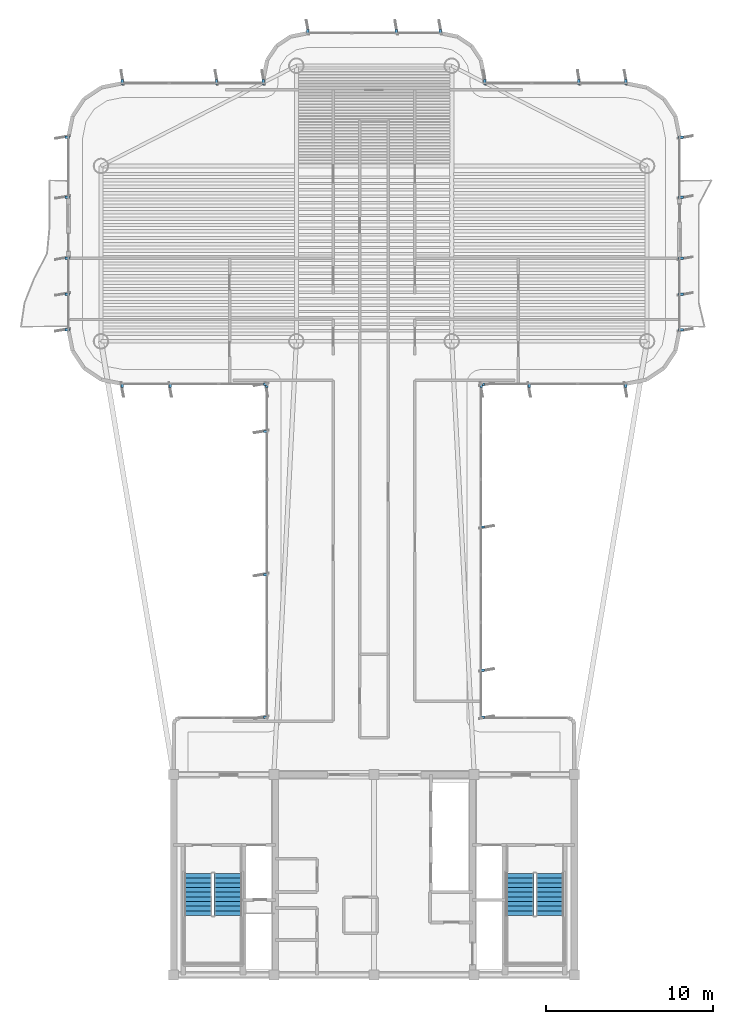
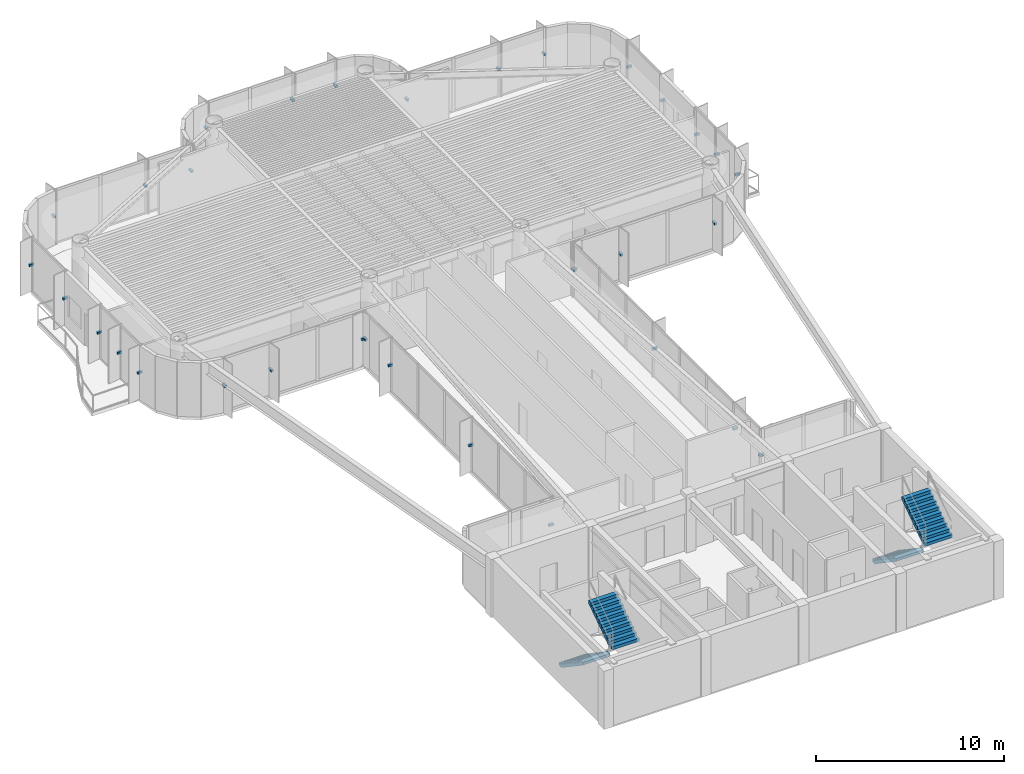
# One storey, part 13 of 15: 33 discrete accessories, 4 stair flights, 2 elements without a shape of their own.
"""IFC4 building model written with IfcOpenShell, lengths in metres."""

import ifcopenshell
import ifcopenshell.guid

model = None  # the IFC model being written
_history = None  # IfcOwnerHistory: only IFC2X3 demands one
_inside = {}  # id of a spatial element -> (the spatial element, [elements in it])
_under = {}  # id of a project, library or spatial element -> (it, [spatial elements below it])
_declared = {}  # id of a project -> (the project, [libraries it declares])
_typed = {}  # id of a type object -> (the type object, [elements of that type])
_made_of = {}  # id of a material, layer set ... -> (it, [elements and type objects made of it])


def new_model(schema):
    """Start an empty IFC model of exactly this schema.

    Asked for "IFC4X3", IfcOpenShell would pick the latest addendum, in which some entities
    have other attributes; the version numbers below select the first issue.
    IFC2X3 requires an IfcOwnerHistory on every rooted entity: one is made here for all.
    """
    global model, _history
    if schema == "IFC4X3":
        model = ifcopenshell.file(schema_version=(4, 3, 0, 0))
    else:
        model = ifcopenshell.file(schema=schema)
    _inside.clear()
    _under.clear()
    _declared.clear()
    _typed.clear()
    _made_of.clear()
    _history = None
    if model.schema == "IFC2X3":
        org = make("IfcOrganization", Name="unknown")
        user = make(
            "IfcPersonAndOrganization",
            ThePerson=make("IfcPerson", FamilyName="unknown"),
            TheOrganization=org,
        )
        app = make(
            "IfcApplication",
            ApplicationDeveloper=org,
            Version="unknown",
            ApplicationFullName="unknown",
            ApplicationIdentifier="unknown",
        )
        _history = make(
            "IfcOwnerHistory",
            OwningUser=user,
            OwningApplication=app,
            ChangeAction="ADDED",
            CreationDate=0,
        )
    return model


def make(cls, **values):
    """One entity of the class cls with the attributes given. An attribute that is None is left unset."""
    return model.create_entity(
        cls, **{name: value for name, value in values.items() if value is not None}
    )


def rooted(cls, **values):
    """An entity with a GlobalId (a new one), such as an element, a storey or a relation."""
    return make(cls, GlobalId=ifcopenshell.guid.new(), OwnerHistory=_history, **values)


def si_unit(unit_type, name, prefix=None):
    """IfcSIUnit, for example si_unit("LENGTHUNIT", "METRE", prefix="MILLI")."""
    return make("IfcSIUnit", UnitType=unit_type, Prefix=prefix, Name=name)


def assignment(units):
    """IfcUnitAssignment: the units of a project."""
    return None if units is None else make("IfcUnitAssignment", Units=units)


def point(xyz):
    """IfcCartesianPoint."""
    return None if xyz is None else make("IfcCartesianPoint", Coordinates=xyz)


def direction(xyz):
    """IfcDirection."""
    return None if xyz is None else make("IfcDirection", DirectionRatios=xyz)


def frame(location, z_axis=None, x_axis=None):
    """IfcAxis2Placement3D, a coordinate frame: its origin and axes. An axis left out is left unset."""
    return make(
        "IfcAxis2Placement3D",
        Location=point(location),
        Axis=direction(z_axis),
        RefDirection=direction(x_axis),
    )


def frame_2d(location, x_axis=None):
    """IfcAxis2Placement2D, a coordinate frame in the plane: its origin and x axis."""
    return make(
        "IfcAxis2Placement2D", Location=point(location), RefDirection=direction(x_axis)
    )


def origin():
    """The frame at (0, 0, 0) with its axes left unset."""
    return frame((0.0, 0.0, 0.0))


def origin_2d():
    """The frame at (0, 0) in the plane with its x axis left unset."""
    return frame_2d((0.0, 0.0))


def place(relative_to, where):
    """IfcLocalPlacement: puts the frame where relative to a parent placement (None: the world)."""
    return make(
        "IfcLocalPlacement", PlacementRelTo=relative_to, RelativePlacement=where
    )


def context(
    kind, dimensions, precision=None, world=None, true_north=None, identifier=None
):
    """IfcGeometricRepresentationContext, for example the 3D "Model" context."""
    return make(
        "IfcGeometricRepresentationContext",
        ContextIdentifier=identifier,
        ContextType=kind,
        CoordinateSpaceDimension=dimensions,
        Precision=precision,
        WorldCoordinateSystem=world,
        TrueNorth=true_north,
    )


def subcontext(parent, identifier, kind, view, scale=None):
    """IfcGeometricRepresentationSubContext, for example "Body" below "Model"."""
    return make(
        "IfcGeometricRepresentationSubContext",
        ContextIdentifier=identifier,
        ContextType=kind,
        ParentContext=parent,
        TargetScale=scale,
        TargetView=view,
    )


def project(units=None, contexts=None):
    """IfcProject with its units and contexts."""
    return rooted(
        "IfcProject",
        Name="project",
        RepresentationContexts=contexts,
        UnitsInContext=assignment(units),
    )


def spatial(cls, under=None, at=None, **own):
    """A site, building, storey or space (cls), placed at a placement, below another one or the project."""
    s = rooted(cls, ObjectPlacement=at, **own)
    if under is not None:
        _under.setdefault(under.id(), (under, []))[1].append(s)
    return s


def polyline(points):
    """IfcPolyline through the points."""
    return make("IfcPolyline", Points=[point(p) for p in points])


def profile(cls, at=None, kind="AREA", **sizes):
    """A parametric profile (cls). Its sizes go by their IFC names, for example OverallWidth=200.0."""
    return make(cls, ProfileType=kind, Position=at, **sizes)


def rectangle(**sizes):
    """IfcRectangleProfileDef."""
    return profile("IfcRectangleProfileDef", **sizes)


def outline(outer, holes=None, kind="AREA"):
    """IfcArbitraryClosedProfileDef: a profile drawn as a closed curve; with holes, ...WithVoids."""
    if holes is None:
        return make("IfcArbitraryClosedProfileDef", ProfileType=kind, OuterCurve=outer)
    return make(
        "IfcArbitraryProfileDefWithVoids",
        ProfileType=kind,
        OuterCurve=outer,
        InnerCurves=holes,
    )


def extrude(swept, where, along, depth):
    """IfcExtrudedAreaSolid: the profile swept, set in the frame where, extruded along a direction by depth."""
    return make(
        "IfcExtrudedAreaSolid",
        SweptArea=swept,
        Position=where,
        ExtrudedDirection=direction(along),
        Depth=depth,
    )


def shape(context_of_items, identifier, shape_type, items):
    """IfcShapeRepresentation: the items that make up one representation, for example the "Body"."""
    return make(
        "IfcShapeRepresentation",
        ContextOfItems=context_of_items,
        RepresentationIdentifier=identifier,
        RepresentationType=shape_type,
        Items=items,
    )


def source(mapping_origin, context_of_items, identifier, shape_type, items):
    """IfcRepresentationMap: a shape defined once, which mapped items show again and again."""
    return make(
        "IfcRepresentationMap",
        MappingOrigin=mapping_origin,
        MappedRepresentation=shape(context_of_items, identifier, shape_type, items),
    )


def transform(
    local_origin,
    x_axis=None,
    y_axis=None,
    z_axis=None,
    scale=None,
    scale2=None,
    scale3=None,
    uniform=True,
):
    """IfcCartesianTransformationOperator3D, or its non-uniform kind. x_axis, y_axis, z_axis: its Axis1, 2, 3."""
    if uniform:
        return make(
            "IfcCartesianTransformationOperator3D",
            Axis1=direction(x_axis),
            Axis2=direction(y_axis),
            LocalOrigin=point(local_origin),
            Scale=scale,
            Axis3=direction(z_axis),
        )
    return make(
        "IfcCartesianTransformationOperator3DnonUniform",
        Axis1=direction(x_axis),
        Axis2=direction(y_axis),
        LocalOrigin=point(local_origin),
        Scale=scale,
        Axis3=direction(z_axis),
        Scale2=scale2,
        Scale3=scale3,
    )


def mapped(mapping_source, mapping_target):
    """IfcMappedItem: shows the shape of a source again, moved by a transform."""
    return make(
        "IfcMappedItem", MappingSource=mapping_source, MappingTarget=mapping_target
    )


def material(Name=None, Category=None):
    """IfcMaterial."""
    return make("IfcMaterial", Name=Name, Category=Category)


def made_of(thing, what):
    """Note that an element or type object is made of a material, layer set ...; save() writes the relation."""
    if what is not None:
        _made_of.setdefault(what.id(), (what, []))[1].append(thing)
    return thing


def type_object(cls, material=None, **own):
    """A type object (cls), such as IfcWallType, which elements share."""
    return made_of(rooted(cls, **own), material)


def element(
    cls,
    number,
    at=None,
    inside=None,
    cuts=None,
    type_object=None,
    material=None,
    context=None,
    identifier="Body",
    shape_type=None,
    held_by="IfcProductDefinitionShape",
    body=None,
    shapes=None,
    **own,
):
    """One element of the class cls, such as IfcWall. Its Tag is "e" and its number.

    at: its placement. inside: the storey or other place that contains it. cuts: it is an
    opening in that element (IfcRelVoidsElement). A single representation is given by context,
    identifier, shape_type and body (its items); several are given by shapes. held_by: the class
    of the entity that holds the representations. save() writes the other relations.
    """
    e = rooted(cls, Tag="e%d" % number, ObjectPlacement=at, **own)
    if body is not None:
        shapes = [shape(context, identifier, shape_type, body)]
    if shapes is not None:
        e.Representation = make(held_by, Representations=shapes)
    if inside is not None:
        _inside.setdefault(inside.id(), (inside, []))[1].append(e)
    if cuts is not None:
        rooted(
            "IfcRelVoidsElement", RelatingBuildingElement=cuts, RelatedOpeningElement=e
        )
    if type_object is not None:
        _typed.setdefault(type_object.id(), (type_object, []))[1].append(e)
    return made_of(e, material)


def aggregate(whole, parts):
    """IfcRelAggregates: a whole, such as a stair, and the parts it consists of."""
    return rooted("IfcRelAggregates", RelatingObject=whole, RelatedObjects=parts)


def save(model, path):
    """Write the relations noted so far, then the file.

    IfcRelAggregates (storeys below a building ...), IfcRelContainedInSpatialStructure (elements
    in a storey), IfcRelDefinesByType, IfcRelAssociatesMaterial and IfcRelDeclares: one each for
    every whole, place, type object, material and project.
    """
    for whole, parts in _under.values():
        aggregate(whole, parts)
    for where, things in _inside.values():
        rooted(
            "IfcRelContainedInSpatialStructure",
            RelatedElements=things,
            RelatingStructure=where,
        )
    for kind, things in _typed.values():
        rooted("IfcRelDefinesByType", RelatedObjects=things, RelatingType=kind)
    for what, things in _made_of.values():
        rooted("IfcRelAssociatesMaterial", RelatedObjects=things, RelatingMaterial=what)
    for by, libraries in _declared.values():
        rooted("IfcRelDeclares", RelatingContext=by, RelatedDefinitions=libraries)
    model.write(path)


model = new_model("IFC4")

# Units and contexts
model_context = context("Model", 3, precision=1e-05, world=origin(), true_north=direction((0.0, 1.0)))
body_context = subcontext(model_context, "Body", "Model", "MODEL_VIEW")
ifc_project = project(units=[si_unit("LENGTHUNIT", "METRE"), si_unit("AREAUNIT", "SQUARE_METRE"), si_unit("VOLUMEUNIT", "CUBIC_METRE"), si_unit("PLANEANGLEUNIT", "RADIAN"), si_unit("MASSUNIT", "GRAM", prefix="KILO")], contexts=[model_context])

# Site, building, storey
site_placement = place(None, origin())
site = spatial("IfcSite", under=ifc_project, at=site_placement, CompositionType="ELEMENT")
building_placement = place(site_placement, origin())
building = spatial("IfcBuilding", under=site, at=building_placement, Name="Brelvock Crest Care Tower", CompositionType="ELEMENT")
storey_placement = place(building_placement, frame((0.0, 0.0, 245.699951171875)))
storey = spatial("IfcBuildingStorey", under=building, at=storey_placement, Name="L62", CompositionType="ELEMENT", Elevation=245.699951171875)

# Stair, stair flights
ifc_material_1 = material(Name="Concrete N40 (40 MPa)", Category="concrete")
stair_type = type_object("IfcStairType", Name="ST-CORE1", PredefinedType="HALF_TURN_STAIR", material=ifc_material_1)
stair_1_placement = place(storey_placement, origin())
stair_1 = element("IfcStair", 1, at=stair_1_placement, inside=storey, type_object=stair_type, Name="L62 Fire-Isolated Core Stair ST-1", PredefinedType="HALF_TURN_STAIR")
stair_flight_type = type_object("IfcStairFlightType", Name="STF-1", PredefinedType="STRAIGHT", material=ifc_material_1)
stair_flight_1_placement = place(storey_placement, frame((25.469970703125, 12.080078125, 0.0), z_axis=(0.0, 0.0, 1.0), x_axis=(0.0, -1.0, 0.0)))
stair_flight_1 = element("IfcStairFlight", 2, at=stair_flight_1_placement, type_object=stair_flight_type, Name="ST-1 flight 1", NumberOfRisers=10, NumberOfTreads=9, PredefinedType="STRAIGHT", RiserHeight=0.189, TreadLength=0.28, context=body_context, shape_type="SweptSolid", body=[
    extrude(outline(polyline([(-0.00390625, -0.014892578125), (-0.00390625, -0.0078125), (-0.00390625, -0.00048828125), (-0.00390625, 0.0068359375), (-0.00390625, 0.01416015625), (-0.00390625, 0.021484375), (-0.00390625, 0.02880859375), (-0.00390625, 0.035888671875), (-0.00390625, 0.043212890625), (-0.00390625, 0.050537109375), (-0.00390625, 0.057861328125), (-0.00390625, 0.065185546875), (-0.00390625, 0.072509765625), (-0.00390625, 0.07958984375), (-0.00390625, 0.0869140625), (-0.00390625, 0.09423828125), (-0.00390625, 0.1015625), (-0.00390625, 0.10888671875), (-0.00390625, 0.1162109375), (-0.00390625, 0.12353515625), (-0.00390625, 0.130615234375), (-0.00390625, 0.137939453125), (-0.00390625, 0.145263671875), (-0.00390625, 0.152587890625), (-0.00390625, 0.159912109375), (-0.00390625, 0.167236328125), (-0.00390625, 0.17431640625), (-0.00390625, 0.181640625), (-0.00390625, 0.18896484375), (0.0, 0.18896484375), (0.280029296875, 0.18896484375), (0.280029296875, 0.3779296875), (0.56005859375, 0.3779296875), (0.56005859375, 0.56689453125), (0.840087890625, 0.56689453125), (0.840087890625, 0.756103515625), (1.1201171875, 0.756103515625), (1.1201171875, 0.945068359375), (1.39990234375, 0.945068359375), (1.39990234375, 1.134033203125), (1.679931640625, 1.134033203125), (1.679931640625, 1.322998046875), (1.9599609375, 1.322998046875), (1.9599609375, 1.511962890625), (2.239990234375, 1.511962890625), (2.239990234375, 1.700927734375), (2.52001953125, 1.700927734375), (2.52392578125, 1.700927734375), (2.523681640625, 1.70068359375), (2.52392578125, 1.700439453125), (2.523681640625, 1.699951171875), (2.52392578125, 1.69970703125), (2.523681640625, 1.699462890625), (2.52392578125, 1.698974609375), (2.523681640625, 1.69873046875), (2.52392578125, 1.698486328125), (2.523681640625, 1.697998046875), (2.52392578125, 1.69775390625), (2.523681640625, 1.697509765625), (2.52392578125, 1.697021484375), (2.523681640625, 1.69677734375), (2.52392578125, 1.696533203125), (2.523681640625, 1.6962890625), (2.52392578125, 1.69580078125), (2.523681640625, 1.695556640625), (2.52392578125, 1.6953125), (2.523681640625, 1.69482421875), (2.52392578125, 1.694580078125), (2.523681640625, 1.6943359375), (2.52392578125, 1.69384765625), (2.523681640625, 1.693603515625), (2.52392578125, 1.693359375), (2.523681640625, 1.69287109375), (2.52392578125, 1.692626953125), (2.523681640625, 1.6923828125), (2.52392578125, 1.69189453125), (2.52001953125, 1.520263671875), (0.267822265625, 0.0), (0.0, 0.0), (0.0, -0.014892578125), (-0.00390625, -0.014892578125)])), frame((0.0, 0.83984375, 0.0), z_axis=(0.0, -1.0, 0.0), x_axis=(1.0, 0.0, 0.0)), (0.0, 0.0, 1.0), 1.679931640625),
])
stair_flight_2_placement = place(storey_placement, frame((27.27001953125, 9.56005859375, 1.89013671875), z_axis=(0.0, 0.0, 1.0), x_axis=(0.0, 1.0, 0.0)))
stair_flight_2 = element("IfcStairFlight", 3, at=stair_flight_2_placement, type_object=stair_flight_type, Name="ST-1 flight 2", NumberOfRisers=10, NumberOfTreads=9, PredefinedType="STRAIGHT", RiserHeight=0.189, TreadLength=0.28, context=body_context, shape_type="SweptSolid", body=[
    extrude(outline(polyline([(-0.00390625, -0.014892578125), (-0.00390625, -0.0078125), (-0.00390625, -0.00048828125), (-0.00390625, 0.0068359375), (-0.00390625, 0.01416015625), (-0.00390625, 0.021484375), (-0.00390625, 0.02880859375), (-0.00390625, 0.035888671875), (-0.00390625, 0.043212890625), (-0.00390625, 0.050537109375), (-0.00390625, 0.057861328125), (-0.00390625, 0.065185546875), (-0.00390625, 0.072509765625), (-0.00390625, 0.07958984375), (-0.00390625, 0.0869140625), (-0.00390625, 0.09423828125), (-0.00390625, 0.1015625), (-0.00390625, 0.10888671875), (-0.00390625, 0.1162109375), (-0.00390625, 0.12353515625), (-0.00390625, 0.130615234375), (-0.00390625, 0.137939453125), (-0.00390625, 0.145263671875), (-0.00390625, 0.152587890625), (-0.00390625, 0.159912109375), (-0.00390625, 0.167236328125), (-0.00390625, 0.17431640625), (-0.00390625, 0.181640625), (-0.00390625, 0.18896484375), (0.0, 0.18896484375), (0.280029296875, 0.18896484375), (0.280029296875, 0.3779296875), (0.56005859375, 0.3779296875), (0.56005859375, 0.56689453125), (0.840087890625, 0.56689453125), (0.840087890625, 0.756103515625), (1.1201171875, 0.756103515625), (1.1201171875, 0.945068359375), (1.39990234375, 0.945068359375), (1.39990234375, 1.134033203125), (1.679931640625, 1.134033203125), (1.679931640625, 1.322998046875), (1.9599609375, 1.322998046875), (1.9599609375, 1.511962890625), (2.239990234375, 1.511962890625), (2.239990234375, 1.700927734375), (2.52001953125, 1.700927734375), (2.52392578125, 1.700927734375), (2.523681640625, 1.70068359375), (2.52392578125, 1.700439453125), (2.523681640625, 1.699951171875), (2.52392578125, 1.69970703125), (2.523681640625, 1.699462890625), (2.52392578125, 1.698974609375), (2.523681640625, 1.69873046875), (2.52392578125, 1.698486328125), (2.523681640625, 1.697998046875), (2.52392578125, 1.69775390625), (2.523681640625, 1.697509765625), (2.52392578125, 1.697021484375), (2.523681640625, 1.69677734375), (2.52392578125, 1.696533203125), (2.523681640625, 1.6962890625), (2.52392578125, 1.69580078125), (2.523681640625, 1.695556640625), (2.52392578125, 1.6953125), (2.523681640625, 1.69482421875), (2.52392578125, 1.694580078125), (2.523681640625, 1.6943359375), (2.52392578125, 1.69384765625), (2.523681640625, 1.693603515625), (2.52392578125, 1.693359375), (2.523681640625, 1.69287109375), (2.52392578125, 1.692626953125), (2.523681640625, 1.6923828125), (2.52392578125, 1.69189453125), (2.52001953125, 1.520263671875), (0.267822265625, 0.0), (0.0, 0.0), (0.0, -0.014892578125), (-0.00390625, -0.014892578125)])), frame((0.0, 0.83984375, 0.0), z_axis=(0.0, -1.0, 0.0), x_axis=(1.0, 0.0, 0.0)), (0.0, 0.0, 1.0), 1.679931640625),
])
aggregate(stair_1, [stair_flight_1, stair_flight_2])

stair_2_placement = place(storey_placement, origin())
stair_2 = element("IfcStair", 4, at=stair_2_placement, inside=storey, type_object=stair_type, Name="L62 Fire-Isolated Core Stair ST-2", PredefinedType="HALF_TURN_STAIR")
stair_flight_3_placement = place(storey_placement, frame((44.72998046875, 12.080078125, 0.0), z_axis=(0.0, 0.0, 1.0), x_axis=(0.0, -1.0, 0.0)))
stair_flight_3 = element("IfcStairFlight", 5, at=stair_flight_3_placement, type_object=stair_flight_type, Name="ST-2 flight 1", NumberOfRisers=10, NumberOfTreads=9, PredefinedType="STRAIGHT", RiserHeight=0.189, TreadLength=0.28, context=body_context, shape_type="SweptSolid", body=[
    extrude(outline(polyline([(-0.00390625, -0.014892578125), (-0.00390625, -0.0078125), (-0.00390625, -0.00048828125), (-0.00390625, 0.0068359375), (-0.00390625, 0.01416015625), (-0.00390625, 0.021484375), (-0.00390625, 0.02880859375), (-0.00390625, 0.035888671875), (-0.00390625, 0.043212890625), (-0.00390625, 0.050537109375), (-0.00390625, 0.057861328125), (-0.00390625, 0.065185546875), (-0.00390625, 0.072509765625), (-0.00390625, 0.07958984375), (-0.00390625, 0.0869140625), (-0.00390625, 0.09423828125), (-0.00390625, 0.1015625), (-0.00390625, 0.10888671875), (-0.00390625, 0.1162109375), (-0.00390625, 0.12353515625), (-0.00390625, 0.130615234375), (-0.00390625, 0.137939453125), (-0.00390625, 0.145263671875), (-0.00390625, 0.152587890625), (-0.00390625, 0.159912109375), (-0.00390625, 0.167236328125), (-0.00390625, 0.17431640625), (-0.00390625, 0.181640625), (-0.00390625, 0.18896484375), (0.0, 0.18896484375), (0.280029296875, 0.18896484375), (0.280029296875, 0.3779296875), (0.56005859375, 0.3779296875), (0.56005859375, 0.56689453125), (0.840087890625, 0.56689453125), (0.840087890625, 0.756103515625), (1.1201171875, 0.756103515625), (1.1201171875, 0.945068359375), (1.39990234375, 0.945068359375), (1.39990234375, 1.134033203125), (1.679931640625, 1.134033203125), (1.679931640625, 1.322998046875), (1.9599609375, 1.322998046875), (1.9599609375, 1.511962890625), (2.239990234375, 1.511962890625), (2.239990234375, 1.700927734375), (2.52001953125, 1.700927734375), (2.52392578125, 1.700927734375), (2.523681640625, 1.70068359375), (2.52392578125, 1.700439453125), (2.523681640625, 1.699951171875), (2.52392578125, 1.69970703125), (2.523681640625, 1.699462890625), (2.52392578125, 1.698974609375), (2.523681640625, 1.69873046875), (2.52392578125, 1.698486328125), (2.523681640625, 1.697998046875), (2.52392578125, 1.69775390625), (2.523681640625, 1.697509765625), (2.52392578125, 1.697021484375), (2.523681640625, 1.69677734375), (2.52392578125, 1.696533203125), (2.523681640625, 1.6962890625), (2.52392578125, 1.69580078125), (2.523681640625, 1.695556640625), (2.52392578125, 1.6953125), (2.523681640625, 1.69482421875), (2.52392578125, 1.694580078125), (2.523681640625, 1.6943359375), (2.52392578125, 1.69384765625), (2.523681640625, 1.693603515625), (2.52392578125, 1.693359375), (2.523681640625, 1.69287109375), (2.52392578125, 1.692626953125), (2.523681640625, 1.6923828125), (2.52392578125, 1.69189453125), (2.52001953125, 1.520263671875), (0.267822265625, 0.0), (0.0, 0.0), (0.0, -0.014892578125), (-0.00390625, -0.014892578125)])), frame((0.0, 0.83984375, 0.0), z_axis=(0.0, -1.0, 0.0), x_axis=(1.0, 0.0, 0.0)), (0.0, 0.0, 1.0), 1.679931640625),
])
stair_flight_4_placement = place(storey_placement, frame((46.530029296875, 9.56005859375, 1.89013671875), z_axis=(0.0, 0.0, 1.0), x_axis=(0.0, 1.0, 0.0)))
stair_flight_4 = element("IfcStairFlight", 6, at=stair_flight_4_placement, type_object=stair_flight_type, Name="ST-2 flight 2", NumberOfRisers=10, NumberOfTreads=9, PredefinedType="STRAIGHT", RiserHeight=0.189, TreadLength=0.28, context=body_context, shape_type="SweptSolid", body=[
    extrude(outline(polyline([(-0.00390625, -0.014892578125), (-0.00390625, -0.0078125), (-0.00390625, -0.00048828125), (-0.00390625, 0.0068359375), (-0.00390625, 0.01416015625), (-0.00390625, 0.021484375), (-0.00390625, 0.02880859375), (-0.00390625, 0.035888671875), (-0.00390625, 0.043212890625), (-0.00390625, 0.050537109375), (-0.00390625, 0.057861328125), (-0.00390625, 0.065185546875), (-0.00390625, 0.072509765625), (-0.00390625, 0.07958984375), (-0.00390625, 0.0869140625), (-0.00390625, 0.09423828125), (-0.00390625, 0.1015625), (-0.00390625, 0.10888671875), (-0.00390625, 0.1162109375), (-0.00390625, 0.12353515625), (-0.00390625, 0.130615234375), (-0.00390625, 0.137939453125), (-0.00390625, 0.145263671875), (-0.00390625, 0.152587890625), (-0.00390625, 0.159912109375), (-0.00390625, 0.167236328125), (-0.00390625, 0.17431640625), (-0.00390625, 0.181640625), (-0.00390625, 0.18896484375), (0.0, 0.18896484375), (0.280029296875, 0.18896484375), (0.280029296875, 0.3779296875), (0.56005859375, 0.3779296875), (0.56005859375, 0.56689453125), (0.840087890625, 0.56689453125), (0.840087890625, 0.756103515625), (1.1201171875, 0.756103515625), (1.1201171875, 0.945068359375), (1.39990234375, 0.945068359375), (1.39990234375, 1.134033203125), (1.679931640625, 1.134033203125), (1.679931640625, 1.322998046875), (1.9599609375, 1.322998046875), (1.9599609375, 1.511962890625), (2.239990234375, 1.511962890625), (2.239990234375, 1.700927734375), (2.52001953125, 1.700927734375), (2.52392578125, 1.700927734375), (2.523681640625, 1.70068359375), (2.52392578125, 1.700439453125), (2.523681640625, 1.699951171875), (2.52392578125, 1.69970703125), (2.523681640625, 1.699462890625), (2.52392578125, 1.698974609375), (2.523681640625, 1.69873046875), (2.52392578125, 1.698486328125), (2.523681640625, 1.697998046875), (2.52392578125, 1.69775390625), (2.523681640625, 1.697509765625), (2.52392578125, 1.697021484375), (2.523681640625, 1.69677734375), (2.52392578125, 1.696533203125), (2.523681640625, 1.6962890625), (2.52392578125, 1.69580078125), (2.523681640625, 1.695556640625), (2.52392578125, 1.6953125), (2.523681640625, 1.69482421875), (2.52392578125, 1.694580078125), (2.523681640625, 1.6943359375), (2.52392578125, 1.69384765625), (2.523681640625, 1.693603515625), (2.52392578125, 1.693359375), (2.523681640625, 1.69287109375), (2.52392578125, 1.692626953125), (2.523681640625, 1.6923828125), (2.52392578125, 1.69189453125), (2.52001953125, 1.520263671875), (0.267822265625, 0.0), (0.0, 0.0), (0.0, -0.014892578125), (-0.00390625, -0.014892578125)])), frame((0.0, 0.83984375, 0.0), z_axis=(0.0, -1.0, 0.0), x_axis=(1.0, 0.0, 0.0)), (0.0, 0.0, 1.0), 1.679931640625),
])
aggregate(stair_2, [stair_flight_3, stair_flight_4])

# Discrete accessories
ifc_material_2 = material(Name="Steel Grade 350", Category="steel")
discrete_accessory_type = type_object("IfcDiscreteAccessoryType", Name="ACC-BRK1", PredefinedType="BRACKET", material=ifc_material_2)
shared_shape = source(origin(), body_context, "Body", "SweptSolid", [
    extrude(rectangle(XDim=0.280029296875, YDim=0.139892578125, at=origin_2d()), origin(), (0.0, 0.0, 1.0), 0.139892578125),
])
for number, where, z_axis, x_axis, name in (
    (7, (29.52001953125, 21.429931640625, 1.6953125), (0.0, 0.0, 1.0), (-1.0, 0.0, 0.0), "L62 Facade Fin Bracket E11-01"),
    (8, (29.52001953125, 29.971435546875, 1.6953125), (0.0, 0.0, 1.0), (-1.0, 0.0, 0.0), "L62 Facade Fin Bracket E11-04"),
    (9, (29.52001953125, 38.54296875, 1.6953125), (0.0, 0.0, 1.0), (-1.0, 0.0, 0.0), "L62 Facade Fin Bracket E11-07"),
    (10, (29.52001953125, 41.3701171875, 1.6953125), (0.0, 0.0, 1.0), (-1.0, 0.0, 0.0), "L62 Facade Fin Bracket E11-08"),
    (11, (29.570068359375, 41.320068359375, 1.6953125), (0.0, 0.0, 1.0), (0.0, -1.0, 0.0), "L62 Facade Fin Bracket E12-01"),
    (12, (23.800048828125, 41.320068359375, 1.6953125), (0.0, 0.0, 1.0), (0.0, -1.0, 0.0), "L62 Facade Fin Bracket E12-03"),
    (13, (20.929931640625, 41.320068359375, 1.6953125), (0.0, 0.0, 1.0), (0.0, -1.0, 0.0), "L62 Facade Fin Bracket E12-04"),
    (14, (17.6201171875, 44.6298828125, 1.6953125), (0.0, 0.0, 1.0), (-1.0, 0.0, 0.0), "L62 Facade Fin Bracket E17A-01"),
    (15, (17.6201171875, 46.77490234375, 1.6953125), (0.0, 0.0, 1.0), (-1.0, 0.0, 0.0), "L62 Facade Fin Bracket E17A-02"),
    (16, (17.6201171875, 48.919921875, 1.6953125), (0.0, 0.0, 1.0), (-1.0, 0.0, 0.0), "L62 Facade Fin Bracket E17A-03"),
    (17, (17.6201171875, 52.580078125, 1.6953125), (0.0, 0.0, 1.0), (-1.0, 0.0, 0.0), "L62 Facade Fin Bracket E17B-01"),
    (18, (17.6201171875, 56.169921875, 1.6953125), (0.0, 0.0, 1.0), (-1.0, 0.0, 0.0), "L62 Facade Fin Bracket E17B-02"),
    (19, (20.929931640625, 59.47998046875, 1.6953125), (0.0, 0.0, 1.0), (0.0, 1.0, 0.0), "L62 Facade Fin Bracket E22-01"),
    (20, (26.566650390625, 59.47998046875, 1.6953125), (0.0, 0.0, 1.0), (0.0, 1.0, 0.0), "L62 Facade Fin Bracket E22-03"),
    (21, (29.3701171875, 59.47998046875, 1.6953125), (0.0, 0.0, 1.0), (0.0, 1.0, 0.0), "L62 Facade Fin Bracket E22-04"),
    (22, (32.030029296875, 62.47998046875, 1.6953125), (0.0, 0.0, 1.0), (0.0, 1.0, 0.0), "L62 Facade Fin Bracket E28-01"),
    (23, (37.333251953125, 62.47998046875, 1.6953125), (0.0, 0.0, 1.0), (0.0, 1.0, 0.0), "L62 Facade Fin Bracket E28-03"),
    (24, (39.969970703125, 62.47998046875, 1.6953125), (0.0, 0.0, 1.0), (0.0, 1.0, 0.0), "L62 Facade Fin Bracket E28-04"),
    (25, (42.6298828125, 59.47998046875, 1.6953125), (0.0, 0.0, 1.0), (0.0, 1.0, 0.0), "L62 Facade Fin Bracket E34-01"),
    (26, (48.2666015625, 59.47998046875, 1.6953125), (0.0, 0.0, 1.0), (0.0, 1.0, 0.0), "L62 Facade Fin Bracket E34-03"),
    (27, (51.070068359375, 59.47998046875, 1.6953125), (0.0, 0.0, 1.0), (0.0, 1.0, 0.0), "L62 Facade Fin Bracket E34-04"),
    (28, (54.3798828125, 56.169921875, 1.6953125), (0.0, 0.0, 1.0), (1.0, 0.0, 0.0), "L62 Facade Fin Bracket E39A-01"),
    (29, (54.3798828125, 52.580078125, 1.6953125), (0.0, 0.0, 1.0), (1.0, 0.0, 0.0), "L62 Facade Fin Bracket E39A-02"),
    (30, (54.3798828125, 48.919921875, 1.6953125), (0.0, 0.0, 1.0), (1.0, 0.0, 0.0), "L62 Facade Fin Bracket E39B-01"),
    (31, (54.3798828125, 46.77490234375, 1.6953125), (0.0, 0.0, 1.0), (1.0, 0.0, 0.0), "L62 Facade Fin Bracket E39B-02"),
    (32, (54.3798828125, 44.6298828125, 1.6953125), (0.0, 0.0, 1.0), (1.0, 0.0, 0.0), "L62 Facade Fin Bracket E39B-03"),
    (33, (51.070068359375, 41.320068359375, 1.6953125), (0.0, 0.0, 1.0), (0.0, -1.0, 0.0), "L62 Facade Fin Bracket E44-01"),
    (34, (45.300048828125, 41.320068359375, 1.6953125), (0.0, 0.0, 1.0), (0.0, -1.0, 0.0), "L62 Facade Fin Bracket E44-03"),
    (35, (42.429931640625, 41.320068359375, 1.6953125), (0.0, 0.0, 1.0), (0.0, -1.0, 0.0), "L62 Facade Fin Bracket E44-04"),
    (36, (42.47998046875, 41.3701171875, 1.6953125), (0.0, 0.0, 1.0), (1.0, 0.0, 0.0), "L62 Facade Fin Bracket E45-01"),
    (37, (42.47998046875, 32.82861328125, 1.6953125), (0.0, 0.0, 1.0), (1.0, 0.0, 0.0), "L62 Facade Fin Bracket E45-04"),
    (38, (42.47998046875, 24.257080078125, 1.6953125), (0.0, 0.0, 1.0), (1.0, 0.0, 0.0), "L62 Facade Fin Bracket E45-07"),
    (39, (42.47998046875, 21.429931640625, 1.6953125), (0.0, 0.0, 1.0), (1.0, 0.0, 0.0), "L62 Facade Fin Bracket E45-08"),
):
    element("IfcDiscreteAccessory", number, at=place(storey_placement, frame(where, z_axis=z_axis, x_axis=x_axis)), inside=storey, type_object=discrete_accessory_type, Name=name, PredefinedType="BRACKET", context=body_context, shape_type="MappedRepresentation", body=[
        mapped(shared_shape, transform((0.0, 0.0, 0.0), x_axis=(1.0, 0.0, 0.0), y_axis=(0.0, 1.0, 0.0), z_axis=(0.0, 0.0, 1.0), scale=1.0)),
    ])

save(model, "model.ifc")
